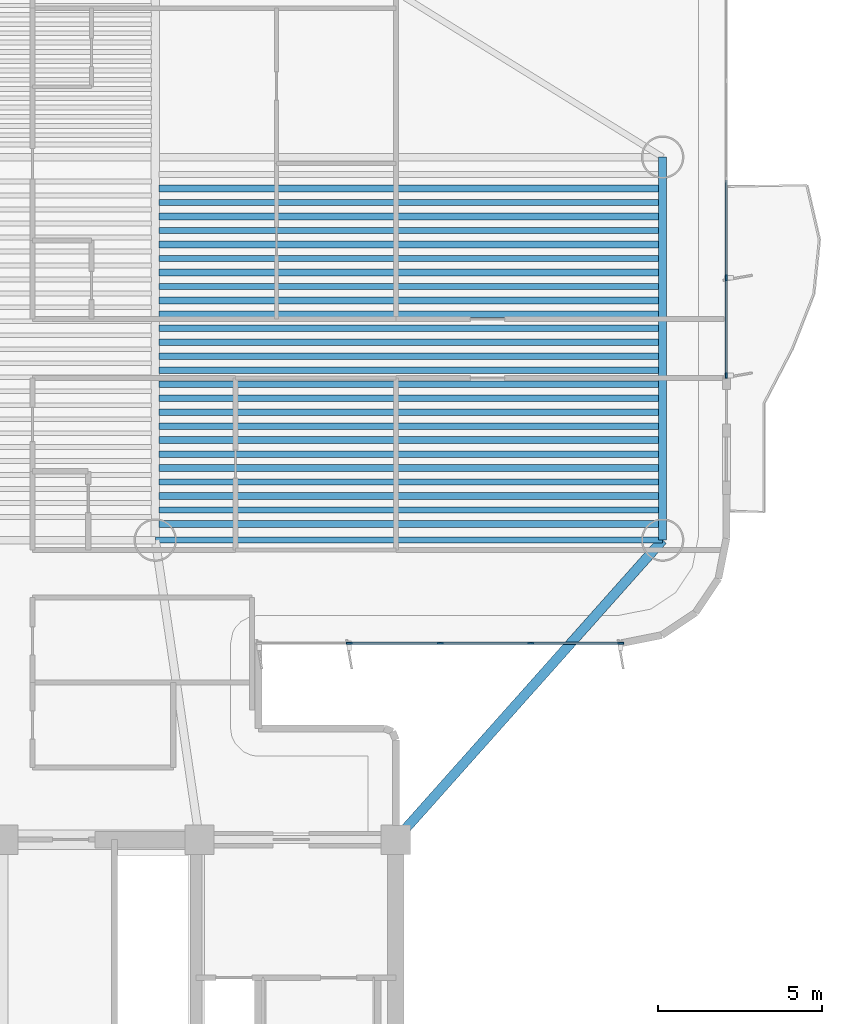
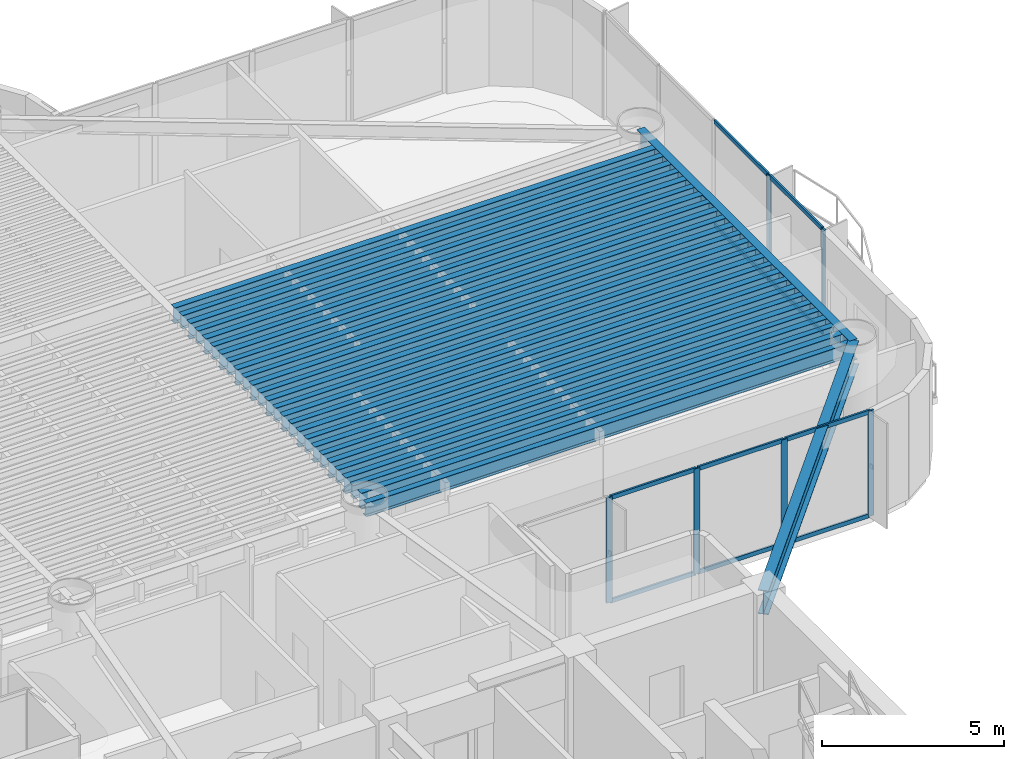
# One storey, part 4 of 17: 28 beams, 16 members, 2 elements without a shape of their own.
"""IFC4 building model written with IfcOpenShell, lengths in metres."""

from ifc_helpers import new_model, si_unit, direction, frame, origin, origin_2d, place, context, subcontext, project, spatial, rectangle, i_section, extrude, source, transform, mapped, material, layer, layer_set, material_profile, profile_set, type_object, element, aggregate, save


model = new_model("IFC4")

# Units and contexts
model_context = context("Model", 3, precision=1e-05, world=origin(), true_north=direction((0.0, 1.0)))
body_context = subcontext(model_context, "Body", "Model", "MODEL_VIEW")
ifc_project = project(units=[si_unit("LENGTHUNIT", "METRE"), si_unit("AREAUNIT", "SQUARE_METRE"), si_unit("VOLUMEUNIT", "CUBIC_METRE"), si_unit("PLANEANGLEUNIT", "RADIAN"), si_unit("MASSUNIT", "GRAM", prefix="KILO")], contexts=[model_context])

# Site, building, storey
site_placement = place(None, origin())
site = spatial("IfcSite", under=ifc_project, at=site_placement, CompositionType="ELEMENT")
building_placement = place(site_placement, origin())
building = spatial("IfcBuilding", under=site, at=building_placement, Name="Brelvock Crest Care Tower", CompositionType="ELEMENT")
storey_placement = place(building_placement, frame((0.0, 0.0, 93.60009765625)))
storey = spatial("IfcBuildingStorey", under=building, at=storey_placement, Name="L23", CompositionType="ELEMENT", Elevation=93.60009765625)

# Beams
ifc_material_1 = material(Name="Steel Grade 350", Category="steel")
ifc_material_profile_1 = material_profile(ifc_material_1, i_section(OverallWidth=0.208984375, OverallDepth=0.532958984375, WebThickness=0.01025390625, FlangeThickness=0.015625, FilletRadius=0.013916015625, at=origin_2d()), Name="530UB92.4")
ifc_profile_set_1 = profile_set([ifc_material_profile_1], Name="Steel Grade 350")
beam_type_1 = type_object("IfcBeamType", Name="BM-G2", PredefinedType="BEAM", material=ifc_profile_set_1)
shared_shape_1 = source(origin(), body_context, "Body", "SweptSolid", [
    extrude(i_section(OverallWidth=0.208984375, OverallDepth=0.532958984375, WebThickness=0.01025390625, FlangeThickness=0.015625, FilletRadius=0.013916015625, at=origin_2d()), origin(), (0.0, 0.0, 1.0), 15.27001953125),
])
for number, where, z_axis, x_axis, name in (
    (1, (40.764892578125, 27.641357421875, 3.263427734375), (1.0, 0.0, 0.0), (0.0, 1.0, 0.0), "BM-JE-L23-1"),
    (2, (40.764892578125, 28.49560546875, 3.263427734375), (1.0, 0.0, 0.0), (0.0, 1.0, 0.0), "BM-JE-L23-3"),
    (3, (40.764892578125, 29.349609375, 3.263427734375), (1.0, 0.0, 0.0), (0.0, 1.0, 0.0), "BM-JE-L23-5"),
    (4, (40.764892578125, 30.20361328125, 3.263427734375), (1.0, 0.0, 0.0), (0.0, 1.0, 0.0), "BM-JE-L23-7"),
    (5, (40.764892578125, 31.057861328125, 3.263427734375), (1.0, 0.0, 0.0), (0.0, 1.0, 0.0), "BM-JE-L23-9"),
    (6, (40.764892578125, 31.911865234375, 3.263427734375), (1.0, 0.0, 0.0), (0.0, 1.0, 0.0), "BM-JE-L23-11"),
    (7, (40.764892578125, 32.76611328125, 3.263427734375), (1.0, 0.0, 0.0), (0.0, 1.0, 0.0), "BM-JE-L23-13"),
    (8, (40.764892578125, 33.6201171875, 3.263427734375), (1.0, 0.0, 0.0), (0.0, 1.0, 0.0), "BM-JE-L23-15"),
    (9, (40.764892578125, 34.47412109375, 3.263427734375), (1.0, 0.0, 0.0), (0.0, 1.0, 0.0), "BM-JE-L23-17"),
    (10, (40.764892578125, 35.328369140625, 3.263427734375), (1.0, 0.0, 0.0), (0.0, 1.0, 0.0), "BM-JE-L23-19"),
    (11, (40.764892578125, 36.182373046875, 3.263427734375), (1.0, 0.0, 0.0), (0.0, 1.0, 0.0), "BM-JE-L23-21"),
    (12, (40.764892578125, 37.03662109375, 3.263427734375), (1.0, 0.0, 0.0), (0.0, 1.0, 0.0), "BM-JE-L23-23"),
    (13, (40.764892578125, 37.890625, 3.263427734375), (1.0, 0.0, 0.0), (0.0, 1.0, 0.0), "BM-JE-L23-25"),
):
    element("IfcBeam", number, at=place(storey_placement, frame(where, z_axis=z_axis, x_axis=x_axis)), inside=storey, type_object=beam_type_1, Name=name, PredefinedType="BEAM", context=body_context, shape_type="MappedRepresentation", body=[
        mapped(shared_shape_1, transform((0.0, 0.0, 0.0), x_axis=(1.0, 0.0, 0.0), y_axis=(0.0, 1.0, 0.0), z_axis=(0.0, 0.0, 1.0), scale=1.0)),
    ])
ifc_material_profile_2 = material_profile(ifc_material_1, i_section(OverallWidth=0.19091796875, OverallDepth=0.4599609375, WebThickness=0.010009765625, FlangeThickness=0.01611328125, FilletRadius=0.011474609375, at=origin_2d()), Name="460UB82.1")
ifc_profile_set_2 = profile_set([ifc_material_profile_2], Name="Steel Grade 350")
beam_type_2 = type_object("IfcBeamType", Name="BM-G3", PredefinedType="BEAM", material=ifc_profile_set_2)
shared_shape_2 = source(origin(), body_context, "Body", "SweptSolid", [
    extrude(i_section(OverallWidth=0.19091796875, OverallDepth=0.4599609375, WebThickness=0.010009765625, FlangeThickness=0.01611328125, FilletRadius=0.011474609375, at=origin_2d()), origin(), (0.0, 0.0, 1.0), 15.27001953125),
])
for number, where, z_axis, x_axis, name in (
    (14, (40.764892578125, 28.068359375, 3.2998046875), (1.0, 0.0, 0.0), (0.0, 1.0, 0.0), "BM-JE-L23-2"),
    (15, (40.764892578125, 28.922607421875, 3.2998046875), (1.0, 0.0, 0.0), (0.0, 1.0, 0.0), "BM-JE-L23-4"),
    (16, (40.764892578125, 29.776611328125, 3.2998046875), (1.0, 0.0, 0.0), (0.0, 1.0, 0.0), "BM-JE-L23-6"),
    (17, (40.764892578125, 30.630615234375, 3.2998046875), (1.0, 0.0, 0.0), (0.0, 1.0, 0.0), "BM-JE-L23-8"),
    (18, (40.764892578125, 31.48486328125, 3.2998046875), (1.0, 0.0, 0.0), (0.0, 1.0, 0.0), "BM-JE-L23-10"),
    (19, (40.764892578125, 32.3388671875, 3.2998046875), (1.0, 0.0, 0.0), (0.0, 1.0, 0.0), "BM-JE-L23-12"),
    (20, (40.764892578125, 33.193115234375, 3.2998046875), (1.0, 0.0, 0.0), (0.0, 1.0, 0.0), "BM-JE-L23-14"),
    (21, (40.764892578125, 34.047119140625, 3.2998046875), (1.0, 0.0, 0.0), (0.0, 1.0, 0.0), "BM-JE-L23-16"),
    (22, (40.764892578125, 34.901123046875, 3.2998046875), (1.0, 0.0, 0.0), (0.0, 1.0, 0.0), "BM-JE-L23-18"),
    (23, (40.764892578125, 35.75537109375, 3.2998046875), (1.0, 0.0, 0.0), (0.0, 1.0, 0.0), "BM-JE-L23-20"),
    (24, (40.764892578125, 36.609619140625, 3.2998046875), (1.0, 0.0, 0.0), (0.0, 1.0, 0.0), "BM-JE-L23-22"),
    (25, (40.764892578125, 37.46337890625, 3.2998046875), (1.0, 0.0, 0.0), (0.0, 1.0, 0.0), "BM-JE-L23-24"),
):
    element("IfcBeam", number, at=place(storey_placement, frame(where, z_axis=z_axis, x_axis=x_axis)), inside=storey, type_object=beam_type_2, Name=name, PredefinedType="BEAM", context=body_context, shape_type="MappedRepresentation", body=[
        mapped(shared_shape_2, transform((0.0, 0.0, 0.0), x_axis=(1.0, 0.0, 0.0), y_axis=(0.0, 1.0, 0.0), z_axis=(0.0, 0.0, 1.0), scale=1.0)),
    ])
ifc_material_profile_3 = material_profile(ifc_material_1, i_section(OverallWidth=0.25, OverallDepth=0.699951171875, WebThickness=0.011962890625, FlangeThickness=0.02001953125, at=origin_2d()), Name="700WB150")
ifc_profile_set_3 = profile_set([ifc_material_profile_3], Name="Steel Grade 350")
beam_type_3 = type_object("IfcBeamType", Name="BM-G4", PredefinedType="BEAM", material=ifc_profile_set_3)
shared_shape_3 = source(origin(), body_context, "Body", "SweptSolid", [
    extrude(i_section(OverallWidth=0.25, OverallDepth=0.699951171875, WebThickness=0.011962890625, FlangeThickness=0.02001953125, at=origin_2d()), origin(), (0.0, 0.0, 1.0), 11.7001953125),
])
beam_1_placement = place(storey_placement, frame((56.14990234375, 27.14990234375, 3.179931640625), z_axis=(0.0, 1.0, 0.0), x_axis=(-1.0, 0.0, 0.0)))
element("IfcBeam", 26, at=beam_1_placement, inside=storey, type_object=beam_type_3, Name="BM-TWR-L23-02", PredefinedType="BEAM", context=body_context, shape_type="MappedRepresentation", body=[
    mapped(shared_shape_3, transform((0.0, 0.0, 0.0), x_axis=(1.0, 0.0, 0.0), y_axis=(0.0, 1.0, 0.0), z_axis=(0.0, 0.0, 1.0), scale=1.0)),
])
ifc_material_profile_4 = material_profile(ifc_material_1, i_section(OverallWidth=0.19091796875, OverallDepth=0.4599609375, WebThickness=0.010009765625, FlangeThickness=0.01611328125, FilletRadius=0.011474609375, at=origin_2d()), Name="460UB82.1")
ifc_profile_set_4 = profile_set([ifc_material_profile_4], Name="Steel Grade 350")
beam_type_4 = type_object("IfcBeamType", Name="BM-SP2", PredefinedType="SPANDREL", material=ifc_profile_set_4)
shared_shape_4 = source(origin(), body_context, "Body", "SweptSolid", [
    extrude(i_section(OverallWidth=0.19091796875, OverallDepth=0.4599609375, WebThickness=0.010009765625, FlangeThickness=0.01611328125, FilletRadius=0.011474609375, at=origin_2d()), origin(), (0.0, 0.0, 1.0), 15.5),
])
beam_2_placement = place(storey_placement, frame((40.64990234375, 27.14990234375, 3.2998046875), z_axis=(1.0, 0.0, 0.0), x_axis=(0.0, 1.0, 0.0)))
element("IfcBeam", 27, at=beam_2_placement, inside=storey, type_object=beam_type_4, Name="BM-TWR-L23-04", PredefinedType="SPANDREL", context=body_context, shape_type="MappedRepresentation", body=[
    mapped(shared_shape_4, transform((0.0, 0.0, 0.0), x_axis=(1.0, 0.0, 0.0), y_axis=(0.0, 1.0, 0.0), z_axis=(0.0, 0.0, 1.0), scale=1.0)),
])
ifc_material_profile_5 = material_profile(ifc_material_1, i_section(OverallWidth=0.300048828125, OverallDepth=0.800048828125, WebThickness=0.013916015625, FlangeThickness=0.02197265625, at=origin_2d()), Name="800WB192")
ifc_profile_set_5 = profile_set([ifc_material_profile_5], Name="Steel Grade 350")
beam_type_5 = type_object("IfcBeamType", Name="BM-G5", PredefinedType="BEAM", material=ifc_profile_set_5)
shared_shape_5 = source(origin(), body_context, "Body", "SweptSolid", [
    extrude(i_section(OverallWidth=0.300048828125, OverallDepth=0.800048828125, WebThickness=0.013916015625, FlangeThickness=0.02197265625, at=origin_2d()), origin(), (0.0, 0.0, 1.0), 12.253173828125),
])
beam_3_placement = place(storey_placement, frame((48.0, 18.0, 3.1298828125), z_axis=(0.665122829149, 0.746733970129, 0.0), x_axis=(-0.746733970129, 0.665122829149, 0.0)))
element("IfcBeam", 28, at=beam_3_placement, inside=storey, type_object=beam_type_5, Name="BM-THRO-E-L23", PredefinedType="BEAM", context=body_context, shape_type="MappedRepresentation", body=[
    mapped(shared_shape_5, transform((0.0, 0.0, 0.0), x_axis=(1.0, 0.0, 0.0), y_axis=(0.0, 1.0, 0.0), z_axis=(0.0, 0.0, 1.0), scale=1.0)),
])

# Curtain wall, members
ifc_material_2 = material(Name="Dark Glass Double Glazed Low-E", Category="glass")
ifc_layer = layer(ifc_material_2, 0.2099609375, Name="CWS-3")
ifc_layer_set = layer_set([ifc_layer], Name="Dark Glass Double Glazed Low-E")
curtain_wall_type = type_object("IfcCurtainWallType", Name="CWS-3", PredefinedType="NOTDEFINED", material=ifc_layer_set)
curtain_wall_1_placement = place(storey_placement, origin())
curtain_wall_1 = element("IfcCurtainWall", 29, at=curtain_wall_1_placement, inside=storey, type_object=curtain_wall_type, Name="L23 Curtain Wall E44", PredefinedType="NOTDEFINED")
ifc_material_3 = material(Name="Aluminium 6063-T6", Category="aluminium")
ifc_material_profile_6 = material_profile(ifc_material_3, rectangle(XDim=0.06005859375, YDim=0.139892578125, at=origin_2d()), Name="ALU60x140")
ifc_profile_set_6 = profile_set([ifc_material_profile_6], Name="Aluminium 6063-T6")
member_type_1 = type_object("IfcMemberType", Name="CWT-2", PredefinedType="USERDEFINED", material=ifc_profile_set_6)
shared_shape_6 = source(origin(), body_context, "Body", "SweptSolid", [
    extrude(rectangle(XDim=0.06005859375, YDim=0.139892578125, at=origin_2d()), origin(), (0.0, 0.0, 1.0), 2.715087890625),
])
member_1_placement = place(storey_placement, frame((52.094970703125, 24.0, 0.02978515625), z_axis=(-1.0, 0.0, 0.0), x_axis=(0.0, -1.0, 0.0)))
member_1 = element("IfcMember", 30, at=member_1_placement, type_object=member_type_1, Name="CW-3 transom 2.1", ObjectType="TRANSOM", PredefinedType="USERDEFINED", context=body_context, shape_type="MappedRepresentation", body=[
    mapped(shared_shape_6, transform((0.0, 0.0, 0.0), x_axis=(1.0, 0.0, 0.0), y_axis=(0.0, 1.0, 0.0), z_axis=(0.0, 0.0, 1.0), scale=1.0)),
])
member_2_placement = place(storey_placement, frame((52.094970703125, 24.0, 3.5), z_axis=(-1.0, 0.0, 0.0), x_axis=(0.0, -1.0, 0.0)))
member_2 = element("IfcMember", 31, at=member_2_placement, type_object=member_type_1, Name="CW-3 transom 2.2", ObjectType="TRANSOM", PredefinedType="USERDEFINED", context=body_context, shape_type="MappedRepresentation", body=[
    mapped(shared_shape_6, transform((0.0, 0.0, 0.0), x_axis=(1.0, 0.0, 0.0), y_axis=(0.0, 1.0, 0.0), z_axis=(0.0, 0.0, 1.0), scale=1.0)),
])
member_3_placement = place(storey_placement, frame((49.320068359375, 24.0, 0.02978515625), z_axis=(-1.0, 0.0, 0.0), x_axis=(0.0, -1.0, 0.0)))
member_3 = element("IfcMember", 32, at=member_3_placement, type_object=member_type_1, Name="CW-3 transom 3.1", ObjectType="TRANSOM", PredefinedType="USERDEFINED", context=body_context, shape_type="MappedRepresentation", body=[
    mapped(shared_shape_6, transform((0.0, 0.0, 0.0), x_axis=(1.0, 0.0, 0.0), y_axis=(0.0, 1.0, 0.0), z_axis=(0.0, 0.0, 1.0), scale=1.0)),
])
member_4_placement = place(storey_placement, frame((49.320068359375, 24.0, 3.5), z_axis=(-1.0, 0.0, 0.0), x_axis=(0.0, -1.0, 0.0)))
member_4 = element("IfcMember", 33, at=member_4_placement, type_object=member_type_1, Name="CW-3 transom 3.2", ObjectType="TRANSOM", PredefinedType="USERDEFINED", context=body_context, shape_type="MappedRepresentation", body=[
    mapped(shared_shape_6, transform((0.0, 0.0, 0.0), x_axis=(1.0, 0.0, 0.0), y_axis=(0.0, 1.0, 0.0), z_axis=(0.0, 0.0, 1.0), scale=1.0)),
])
shared_shape_7 = source(origin(), body_context, "Body", "SweptSolid", [
    extrude(rectangle(XDim=0.06005859375, YDim=0.139892578125, at=origin_2d()), origin(), (0.0, 0.0, 1.0), 2.68505859375),
])
member_5_placement = place(storey_placement, frame((54.840087890625, 24.0, 0.02978515625), z_axis=(-1.0, 0.0, 0.0), x_axis=(0.0, -1.0, 0.0)))
member_5 = element("IfcMember", 34, at=member_5_placement, type_object=member_type_1, Name="CW-3 transom 1.1", ObjectType="TRANSOM", PredefinedType="USERDEFINED", context=body_context, shape_type="MappedRepresentation", body=[
    mapped(shared_shape_7, transform((0.0, 0.0, 0.0), x_axis=(1.0, 0.0, 0.0), y_axis=(0.0, 1.0, 0.0), z_axis=(0.0, 0.0, 1.0), scale=1.0)),
])
member_6_placement = place(storey_placement, frame((54.840087890625, 24.0, 3.5), z_axis=(-1.0, 0.0, 0.0), x_axis=(0.0, -1.0, 0.0)))
member_6 = element("IfcMember", 35, at=member_6_placement, type_object=member_type_1, Name="CW-3 transom 1.2", ObjectType="TRANSOM", PredefinedType="USERDEFINED", context=body_context, shape_type="MappedRepresentation", body=[
    mapped(shared_shape_7, transform((0.0, 0.0, 0.0), x_axis=(1.0, 0.0, 0.0), y_axis=(0.0, 1.0, 0.0), z_axis=(0.0, 0.0, 1.0), scale=1.0)),
])

curtain_wall_2_placement = place(storey_placement, origin())
curtain_wall_2 = element("IfcCurtainWall", 36, at=curtain_wall_2_placement, inside=storey, type_object=curtain_wall_type, Name="L23 Curtain Wall E39A", PredefinedType="NOTDEFINED")
shared_shape_8 = source(origin(), body_context, "Body", "SweptSolid", [
    extrude(rectangle(XDim=0.06005859375, YDim=0.139892578125, at=origin_2d()), origin(), (0.0, 0.0, 1.0), 2.922607421875),
])
member_7_placement = place(storey_placement, frame((58.10009765625, 35.132568359375, 0.02978515625), z_axis=(0.0, -1.0, 0.0), x_axis=(1.0, 0.0, 0.0)))
member_7 = element("IfcMember", 37, at=member_7_placement, type_object=member_type_1, Name="CW-3 transom 4.1", ObjectType="TRANSOM", PredefinedType="USERDEFINED", context=body_context, shape_type="MappedRepresentation", body=[
    mapped(shared_shape_8, transform((0.0, 0.0, 0.0), x_axis=(1.0, 0.0, 0.0), y_axis=(0.0, 1.0, 0.0), z_axis=(0.0, 0.0, 1.0), scale=1.0)),
])
member_8_placement = place(storey_placement, frame((58.10009765625, 35.132568359375, 3.5), z_axis=(0.0, -1.0, 0.0), x_axis=(1.0, 0.0, 0.0)))
member_8 = element("IfcMember", 38, at=member_8_placement, type_object=member_type_1, Name="CW-3 transom 4.2", ObjectType="TRANSOM", PredefinedType="USERDEFINED", context=body_context, shape_type="MappedRepresentation", body=[
    mapped(shared_shape_8, transform((0.0, 0.0, 0.0), x_axis=(1.0, 0.0, 0.0), y_axis=(0.0, 1.0, 0.0), z_axis=(0.0, 0.0, 1.0), scale=1.0)),
])
shared_shape_9 = source(origin(), body_context, "Body", "SweptSolid", [
    extrude(rectangle(XDim=0.06005859375, YDim=0.139892578125, at=origin_2d()), origin(), (0.0, 0.0, 1.0), 2.95263671875),
])
member_9_placement = place(storey_placement, frame((58.10009765625, 38.14501953125, 0.02978515625), z_axis=(0.0, -1.0, 0.0), x_axis=(1.0, 0.0, 0.0)))
member_9 = element("IfcMember", 39, at=member_9_placement, type_object=member_type_1, Name="CW-3 transom 3.1", ObjectType="TRANSOM", PredefinedType="USERDEFINED", context=body_context, shape_type="MappedRepresentation", body=[
    mapped(shared_shape_9, transform((0.0, 0.0, 0.0), x_axis=(1.0, 0.0, 0.0), y_axis=(0.0, 1.0, 0.0), z_axis=(0.0, 0.0, 1.0), scale=1.0)),
])
member_10_placement = place(storey_placement, frame((58.10009765625, 38.14501953125, 3.5), z_axis=(0.0, -1.0, 0.0), x_axis=(1.0, 0.0, 0.0)))
member_10 = element("IfcMember", 40, at=member_10_placement, type_object=member_type_1, Name="CW-3 transom 3.2", ObjectType="TRANSOM", PredefinedType="USERDEFINED", context=body_context, shape_type="MappedRepresentation", body=[
    mapped(shared_shape_9, transform((0.0, 0.0, 0.0), x_axis=(1.0, 0.0, 0.0), y_axis=(0.0, 1.0, 0.0), z_axis=(0.0, 0.0, 1.0), scale=1.0)),
])
ifc_material_profile_7 = material_profile(ifc_material_3, rectangle(XDim=0.06005859375, YDim=0.179931640625, at=origin_2d()), Name="ALU60x180")
ifc_profile_set_7 = profile_set([ifc_material_profile_7], Name="Aluminium 6063-T6")
member_type_2 = type_object("IfcMemberType", Name="CWM-2", PredefinedType="MULLION", material=ifc_profile_set_7)
shared_shape_10 = source(origin(), body_context, "Body", "SweptSolid", [
    extrude(rectangle(XDim=0.06005859375, YDim=0.179931640625, at=origin_2d()), origin(), (0.0, 0.0, 1.0), 3.52978515625),
])
member_11_placement = place(storey_placement, frame((58.10009765625, 35.16259765625, 0.0), z_axis=(0.0, 0.0, 1.0), x_axis=(1.0, 0.0, 0.0)))
member_11 = element("IfcMember", 41, at=member_11_placement, type_object=member_type_2, Name="CW-3 mullion 4", PredefinedType="MULLION", context=body_context, shape_type="MappedRepresentation", body=[
    mapped(shared_shape_10, transform((0.0, 0.0, 0.0), x_axis=(1.0, 0.0, 0.0), y_axis=(0.0, 1.0, 0.0), z_axis=(0.0, 0.0, 1.0), scale=1.0)),
])
member_12_placement = place(storey_placement, frame((58.10009765625, 32.179931640625, 0.0), z_axis=(0.0, 0.0, 1.0), x_axis=(1.0, 0.0, 0.0)))
member_12 = element("IfcMember", 42, at=member_12_placement, type_object=member_type_2, Name="CW-3 mullion 5", PredefinedType="MULLION", context=body_context, shape_type="MappedRepresentation", body=[
    mapped(shared_shape_10, transform((0.0, 0.0, 0.0), x_axis=(1.0, 0.0, 0.0), y_axis=(0.0, 1.0, 0.0), z_axis=(0.0, 0.0, 1.0), scale=1.0)),
])
aggregate(curtain_wall_2, [member_11, member_12, member_9, member_10, member_7, member_8])

# Member
member_13_placement = place(storey_placement, frame((54.8701171875, 24.0, 0.0), z_axis=(0.0, 0.0, 1.0), x_axis=(0.0, -1.0, 0.0)))
member_13 = element("IfcMember", 43, at=member_13_placement, type_object=member_type_2, Name="CW-3 mullion 1", PredefinedType="MULLION", context=body_context, shape_type="MappedRepresentation", body=[
    mapped(shared_shape_10, transform((0.0, 0.0, 0.0), x_axis=(1.0, 0.0, 0.0), y_axis=(0.0, 1.0, 0.0), z_axis=(0.0, 0.0, 1.0), scale=1.0)),
])

member_14_placement = place(storey_placement, frame((52.125, 24.0, 0.0), z_axis=(0.0, 0.0, 1.0), x_axis=(0.0, -1.0, 0.0)))
member_14 = element("IfcMember", 44, at=member_14_placement, type_object=member_type_2, Name="CW-3 mullion 2", PredefinedType="MULLION", context=body_context, shape_type="MappedRepresentation", body=[
    mapped(shared_shape_10, transform((0.0, 0.0, 0.0), x_axis=(1.0, 0.0, 0.0), y_axis=(0.0, 1.0, 0.0), z_axis=(0.0, 0.0, 1.0), scale=1.0)),
])

member_15_placement = place(storey_placement, frame((49.35009765625, 24.0, 0.0), z_axis=(0.0, 0.0, 1.0), x_axis=(0.0, -1.0, 0.0)))
member_15 = element("IfcMember", 45, at=member_15_placement, type_object=member_type_2, Name="CW-3 mullion 3", PredefinedType="MULLION", context=body_context, shape_type="MappedRepresentation", body=[
    mapped(shared_shape_10, transform((0.0, 0.0, 0.0), x_axis=(1.0, 0.0, 0.0), y_axis=(0.0, 1.0, 0.0), z_axis=(0.0, 0.0, 1.0), scale=1.0)),
])

member_16_placement = place(storey_placement, frame((46.574951171875, 24.0, 0.0), z_axis=(0.0, 0.0, 1.0), x_axis=(0.0, -1.0, 0.0)))
member_16 = element("IfcMember", 46, at=member_16_placement, type_object=member_type_2, Name="CW-3 mullion 4", PredefinedType="MULLION", context=body_context, shape_type="MappedRepresentation", body=[
    mapped(shared_shape_10, transform((0.0, 0.0, 0.0), x_axis=(1.0, 0.0, 0.0), y_axis=(0.0, 1.0, 0.0), z_axis=(0.0, 0.0, 1.0), scale=1.0)),
])

aggregate(curtain_wall_1, [member_13, member_14, member_15, member_16, member_5, member_6, member_1, member_2, member_3, member_4])

save(model, "model.ifc")
